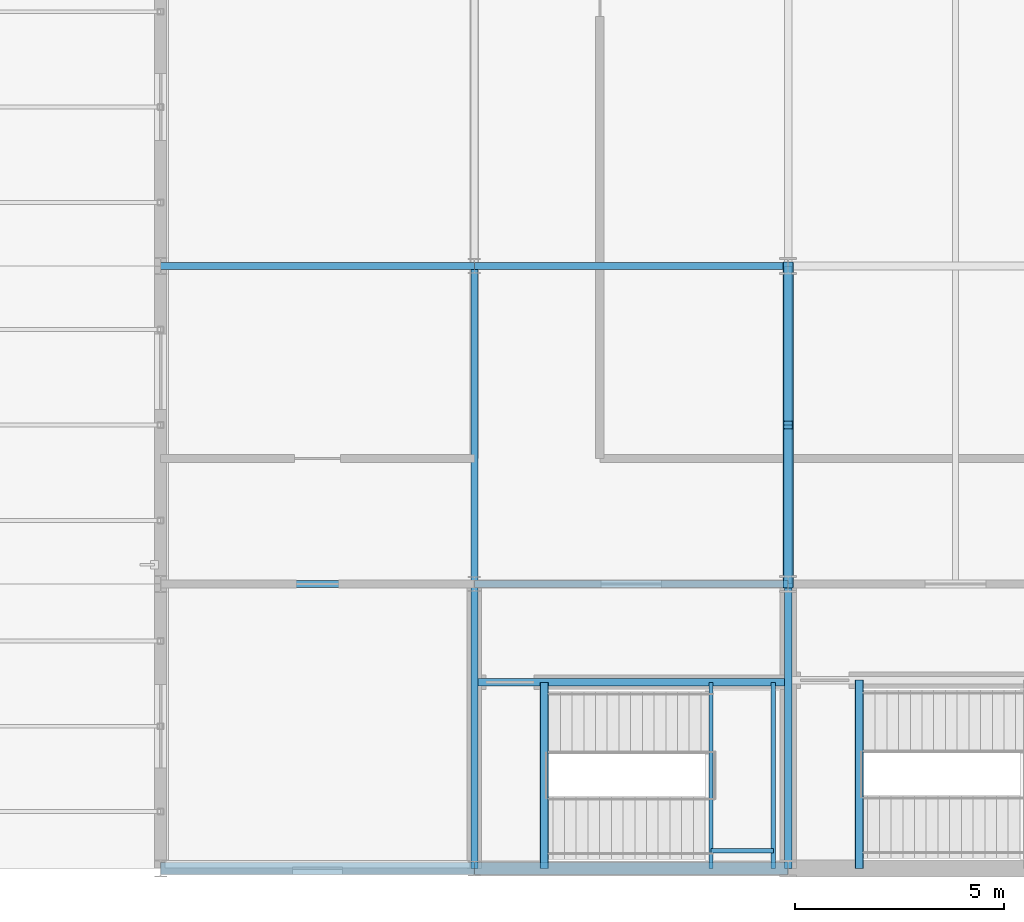
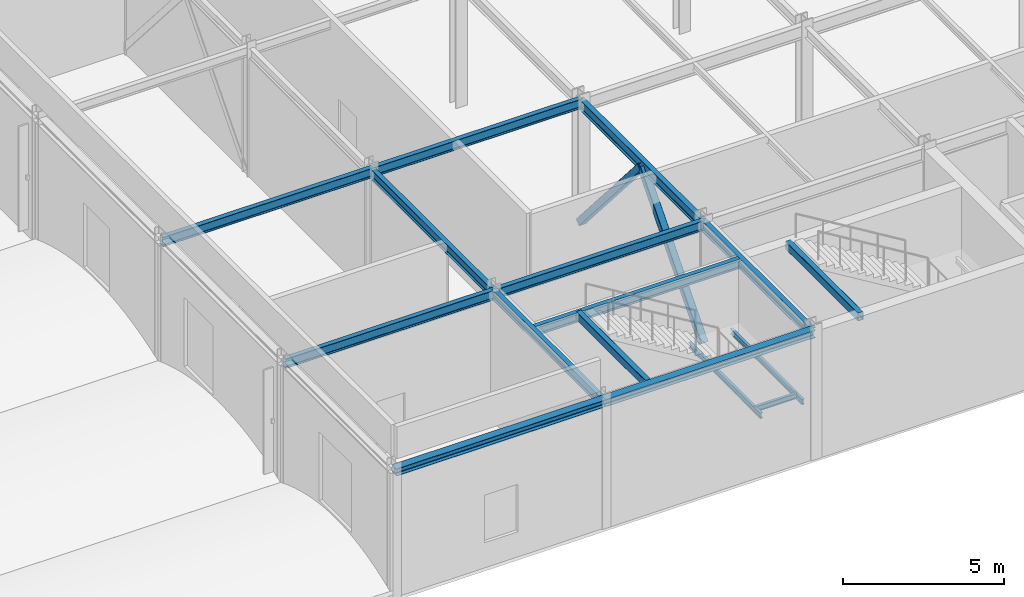
# One storey, part 15 of 79: 16 beams, 2 members.
"""IFC4 building model written with IfcOpenShell, lengths in metres."""

from ifc_helpers import new_model, si_unit, direction, frame, origin, origin_2d, place, context, subcontext, project, spatial, hollow_rectangle, i_section, extrude, material, material_profile, profile_set, type_object, element, save


model = new_model("IFC4")

# Units and contexts
model_context = context("Model", 3, precision=1e-05, world=origin(), true_north=direction((0.0, 1.0)))
body_context = subcontext(model_context, "Body", "Model", "MODEL_VIEW")
ifc_project = project(units=[si_unit("LENGTHUNIT", "METRE"), si_unit("AREAUNIT", "SQUARE_METRE"), si_unit("VOLUMEUNIT", "CUBIC_METRE"), si_unit("PLANEANGLEUNIT", "RADIAN"), si_unit("MASSUNIT", "GRAM", prefix="KILO")], contexts=[model_context])

# Site, building, storey
site_placement = place(None, origin())
site = spatial("IfcSite", under=ifc_project, at=site_placement, CompositionType="ELEMENT")
building_placement = place(site_placement, origin())
building = spatial("IfcBuilding", under=site, at=building_placement, Name="Shalkamar Park Central Library", CompositionType="ELEMENT")
storey_placement = place(building_placement, frame((0.0, 0.0, 10.5)))
storey = spatial("IfcBuildingStorey", under=building, at=storey_placement, Name="L03", CompositionType="ELEMENT", Elevation=10.5)

# Beams
ifc_material = material(Name="Steel S355", Category="steel")
ifc_material_profile_1 = material_profile(ifc_material, i_section(OverallWidth=0.10009765625, OverallDepth=0.199951171875, WebThickness=0.005615234375, FlangeThickness=0.008544921875, FilletRadius=0.011962890625, at=origin_2d()), Name="IPE 200")
ifc_profile_set_1 = profile_set([ifc_material_profile_1], Name="Steel S355")
beam_type_1 = type_object("IfcBeamType", Name="Composite Floor Joist IPE200", PredefinedType="JOIST", material=ifc_profile_set_1)
for number, where, z_axis, x_axis, name in (
    (1, (163.155029296875, 248.39990234375, 2.169921875), (0.0, 1.0, 0.0), (-1.0, 0.0, 0.0), "Stair Half-Landing Beam ST-P1-L03-1"),
    (2, (164.64501953125, 248.39990234375, 2.169921875), (0.0, 1.0, 0.0), (-1.0, 0.0, 0.0), "Stair Half-Landing Beam ST-P1-L03-2"),
):
    element("IfcBeam", number, at=place(storey_placement, frame(where, z_axis=z_axis, x_axis=x_axis)), inside=storey, type_object=beam_type_1, Name=name, PredefinedType="JOIST", context=body_context, shape_type="SweptSolid", body=[
        extrude(i_section(OverallWidth=0.10009765625, OverallDepth=0.199951171875, WebThickness=0.005615234375, FlangeThickness=0.008544921875, FilletRadius=0.011962890625, at=origin_2d()), origin(), (0.0, 0.0, 1.0), 4.4501953125),
    ])
beam_1_placement = place(storey_placement, frame((163.155029296875, 248.824951171875, 2.169921875), z_axis=(1.0, 0.0, 0.0), x_axis=(0.0, 1.0, 0.0)))
element("IfcBeam", 3, at=beam_1_placement, inside=storey, type_object=beam_type_1, Name="Stair Half-Landing Cross Tie ST-P1-L03-3", PredefinedType="JOIST", context=body_context, shape_type="SweptSolid", body=[
    extrude(i_section(OverallWidth=0.10009765625, OverallDepth=0.199951171875, WebThickness=0.005615234375, FlangeThickness=0.008544921875, FilletRadius=0.011962890625, at=origin_2d()), origin(), (0.0, 0.0, 1.0), 1.489990234375),
])

# Members
ifc_material_profile_2 = material_profile(ifc_material, hollow_rectangle(XDim=0.25, YDim=0.25, WallThickness=0.012451171875, InnerFilletRadius=0.012451171875, OuterFilletRadius=0.018798828125, at=origin_2d()), Name="SHS 250x250x12.5")
ifc_profile_set_2 = profile_set([ifc_material_profile_2], Name="Steel S355")
member_type = type_object("IfcMemberType", Name="Diagonal Brace SHS250", PredefinedType="BRACE", material=ifc_profile_set_2)
for number, where, z_axis, x_axis, name in (
    (4, (165.0, 255.199951171875, 0.14990234375), (0.0, 0.654464586562, 0.756092656316), (-1.0, 0.0, 0.0), "Chevron Brace TW-W Leg A (L03)"),
    (5, (165.0, 262.800048828125, 0.14990234375), (0.0, -0.654464586562, 0.756092656316), (1.0, 0.0, 0.0), "Chevron Brace TW-W Leg B (L03)"),
):
    element("IfcMember", number, at=place(storey_placement, frame(where, z_axis=z_axis, x_axis=x_axis)), inside=storey, type_object=member_type, Name=name, PredefinedType="BRACE", context=body_context, shape_type="SweptSolid", body=[
        extrude(hollow_rectangle(XDim=0.25, YDim=0.25, WallThickness=0.012451171875, InnerFilletRadius=0.012451171875, OuterFilletRadius=0.018798828125, at=origin_2d()), origin(), (0.0, 0.0, 1.0), 5.806396484375),
    ])

# Beams
ifc_material_profile_3 = material_profile(ifc_material, i_section(OverallWidth=0.280029296875, OverallDepth=0.27001953125, WebThickness=0.008056640625, FlangeThickness=0.012939453125, FilletRadius=0.02392578125, at=origin_2d()), Name="HEA 280")
ifc_profile_set_3 = profile_set([ifc_material_profile_3], Name="Steel S355")
beam_type_2 = type_object("IfcBeamType", Name="Perimeter Spandrel Beam HEA280", PredefinedType="SPANDREL", material=ifc_profile_set_3)
for number, where, z_axis, x_axis, name in (
    (6, (150.0, 248.39990234375, 4.705078125), (1.0, 0.0, 0.0), (0.0, 1.0, 0.0), "Beam B:05-06 (L03)"),
    (7, (157.5, 248.39990234375, 4.705078125), (1.0, 0.0, 0.0), (0.0, 1.0, 0.0), "Beam B:06-07 (L03)"),
):
    element("IfcBeam", number, at=place(storey_placement, frame(where, z_axis=z_axis, x_axis=x_axis)), inside=storey, type_object=beam_type_2, Name=name, PredefinedType="SPANDREL", context=body_context, shape_type="SweptSolid", body=[
        extrude(i_section(OverallWidth=0.280029296875, OverallDepth=0.27001953125, WebThickness=0.008056640625, FlangeThickness=0.012939453125, FilletRadius=0.02392578125, at=origin_2d()), origin(), (0.0, 0.0, 1.0), 7.5),
    ])
ifc_material_profile_4 = material_profile(ifc_material, i_section(OverallWidth=0.169921875, OverallDepth=0.360107421875, WebThickness=0.008056640625, FlangeThickness=0.0126953125, FilletRadius=0.01806640625, at=origin_2d()), Name="IPE 360")
ifc_profile_set_4 = profile_set([ifc_material_profile_4], Name="Steel S355")
beam_type_3 = type_object("IfcBeamType", Name="Primary Girder IPE360", PredefinedType="BEAM", material=ifc_profile_set_4)
for number, where, z_axis, x_axis, name in (
    (8, (150.0, 255.199951171875, 4.659912109375), (1.0, 0.0, 0.0), (0.0, 1.0, 0.0), "Beam C:05-06 (L03)"),
    (9, (157.5, 255.199951171875, 4.659912109375), (1.0, 0.0, 0.0), (0.0, 1.0, 0.0), "Beam C:06-07 (L03)"),
    (10, (150.0, 262.800048828125, 4.659912109375), (1.0, 0.0, 0.0), (0.0, 1.0, 0.0), "Beam D:05-06 (L03)"),
    (11, (157.5, 262.800048828125, 4.659912109375), (1.0, 0.0, 0.0), (0.0, 1.0, 0.0), "Beam D:06-07 (L03)"),
):
    element("IfcBeam", number, at=place(storey_placement, frame(where, z_axis=z_axis, x_axis=x_axis)), inside=storey, type_object=beam_type_3, Name=name, PredefinedType="BEAM", context=body_context, shape_type="SweptSolid", body=[
        extrude(i_section(OverallWidth=0.169921875, OverallDepth=0.360107421875, WebThickness=0.008056640625, FlangeThickness=0.0126953125, FilletRadius=0.01806640625, at=origin_2d()), origin(), (0.0, 0.0, 1.0), 7.5),
    ])
beam_2_placement = place(storey_placement, frame((157.5, 248.39990234375, 4.659912109375), z_axis=(0.0, 1.0, 0.0), x_axis=(-1.0, 0.0, 0.0)))
element("IfcBeam", 12, at=beam_2_placement, inside=storey, type_object=beam_type_3, Name="Beam 06:B-C (L03)", PredefinedType="BEAM", context=body_context, shape_type="SweptSolid", body=[
    extrude(i_section(OverallWidth=0.169921875, OverallDepth=0.360107421875, WebThickness=0.008056640625, FlangeThickness=0.0126953125, FilletRadius=0.01806640625, at=origin_2d()), origin(), (0.0, 0.0, 1.0), 6.800048828125),
])
beam_3_placement = place(storey_placement, frame((157.5, 255.199951171875, 4.659912109375), z_axis=(0.0, 1.0, 0.0), x_axis=(-1.0, 0.0, 0.0)))
element("IfcBeam", 13, at=beam_3_placement, inside=storey, type_object=beam_type_3, Name="Beam 06:C-D (L03)", PredefinedType="BEAM", context=body_context, shape_type="SweptSolid", body=[
    extrude(i_section(OverallWidth=0.169921875, OverallDepth=0.360107421875, WebThickness=0.008056640625, FlangeThickness=0.0126953125, FilletRadius=0.01806640625, at=origin_2d()), origin(), (0.0, 0.0, 1.0), 7.60009765625),
])
beam_4_placement = place(storey_placement, frame((157.587890625, 252.85009765625, 4.659912109375), z_axis=(1.0, 0.0, 0.0), x_axis=(0.0, 1.0, 0.0)))
element("IfcBeam", 14, at=beam_4_placement, inside=storey, type_object=beam_type_3, Name="CORE-P1 Stairwell Divider Beam (L03)", PredefinedType="BEAM", context=body_context, shape_type="SweptSolid", body=[
    extrude(i_section(OverallWidth=0.169921875, OverallDepth=0.360107421875, WebThickness=0.008056640625, FlangeThickness=0.0126953125, FilletRadius=0.01806640625, at=origin_2d()), origin(), (0.0, 0.0, 1.0), 7.32421875),
])
ifc_material_profile_5 = material_profile(ifc_material, i_section(OverallWidth=0.179931640625, OverallDepth=0.39990234375, WebThickness=0.008544921875, FlangeThickness=0.013427734375, FilletRadius=0.02099609375, at=origin_2d()), Name="IPE 400")
ifc_profile_set_5 = profile_set([ifc_material_profile_5], Name="Steel S355")
beam_type_4 = type_object("IfcBeamType", Name="Primary Girder IPE400", PredefinedType="BEAM", material=ifc_profile_set_5)
beam_5_placement = place(storey_placement, frame((165.0, 248.39990234375, 4.639892578125), z_axis=(0.0, 1.0, 0.0), x_axis=(-1.0, 0.0, 0.0)))
element("IfcBeam", 15, at=beam_5_placement, inside=storey, type_object=beam_type_4, Name="Beam 07:B-C (L03)", PredefinedType="BEAM", context=body_context, shape_type="SweptSolid", body=[
    extrude(i_section(OverallWidth=0.179931640625, OverallDepth=0.39990234375, WebThickness=0.008544921875, FlangeThickness=0.013427734375, FilletRadius=0.02099609375, at=origin_2d()), origin(), (0.0, 0.0, 1.0), 6.800048828125),
])
beam_6_placement = place(storey_placement, frame((165.0, 255.199951171875, 4.639892578125), z_axis=(0.0, 1.0, 0.0), x_axis=(-1.0, 0.0, 0.0)))
element("IfcBeam", 16, at=beam_6_placement, inside=storey, type_object=beam_type_4, Name="Beam 07:C-D (L03)", PredefinedType="BEAM", context=body_context, shape_type="SweptSolid", body=[
    extrude(i_section(OverallWidth=0.179931640625, OverallDepth=0.39990234375, WebThickness=0.008544921875, FlangeThickness=0.013427734375, FilletRadius=0.02099609375, at=origin_2d()), origin(), (0.0, 0.0, 1.0), 7.60009765625),
])
ifc_material_profile_6 = material_profile(ifc_material, hollow_rectangle(XDim=0.199951171875, YDim=0.300048828125, WallThickness=0.011962890625, InnerFilletRadius=0.011962890625, OuterFilletRadius=0.01806640625, at=origin_2d()), Name="RHS 300x200x12")
ifc_profile_set_6 = profile_set([ifc_material_profile_6], Name="Steel S355")
beam_type_5 = type_object("IfcBeamType", Name="Stair Trimmer Box RHS300x200", PredefinedType="BEAM", material=ifc_profile_set_6)
beam_7_placement = place(storey_placement, frame((166.699951171875, 248.39990234375, 4.68994140625), z_axis=(0.0, 1.0, 0.0), x_axis=(-1.0, 0.0, 0.0)))
element("IfcBeam", 17, at=beam_7_placement, inside=storey, type_object=beam_type_5, Name="Stair Arrival Trimmer Girder ST-T1-L03", PredefinedType="BEAM", context=body_context, shape_type="SweptSolid", body=[
    extrude(hollow_rectangle(XDim=0.199951171875, YDim=0.300048828125, WallThickness=0.011962890625, InnerFilletRadius=0.011962890625, OuterFilletRadius=0.01806640625, at=origin_2d()), origin(), (0.0, 0.0, 1.0), 4.5),
])
beam_8_placement = place(storey_placement, frame((159.175048828125, 248.39990234375, 4.68994140625), z_axis=(0.0, 1.0, 0.0), x_axis=(-1.0, 0.0, 0.0)))
element("IfcBeam", 18, at=beam_8_placement, inside=storey, type_object=beam_type_5, Name="Stair Arrival Trimmer Girder ST-P1-L03", PredefinedType="BEAM", context=body_context, shape_type="SweptSolid", body=[
    extrude(hollow_rectangle(XDim=0.199951171875, YDim=0.300048828125, WallThickness=0.011962890625, InnerFilletRadius=0.011962890625, OuterFilletRadius=0.01806640625, at=origin_2d()), origin(), (0.0, 0.0, 1.0), 4.4501953125),
])

save(model, "model.ifc")
